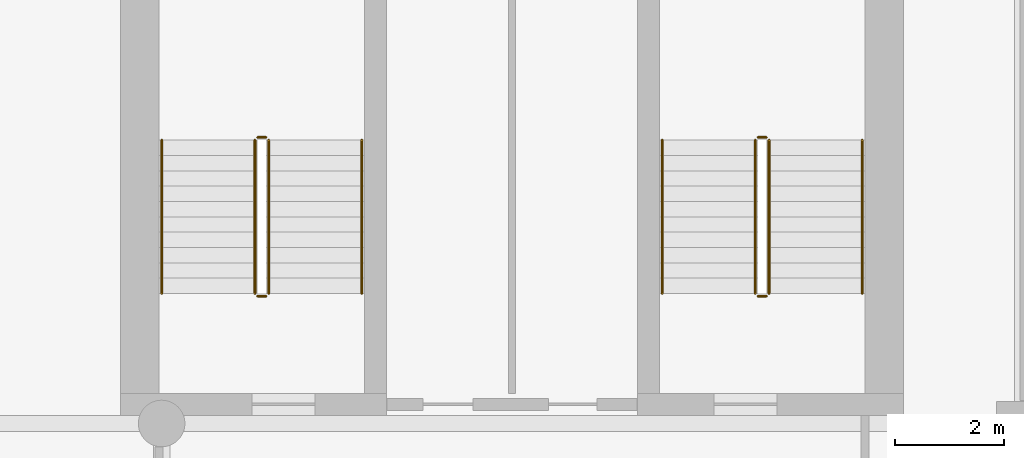
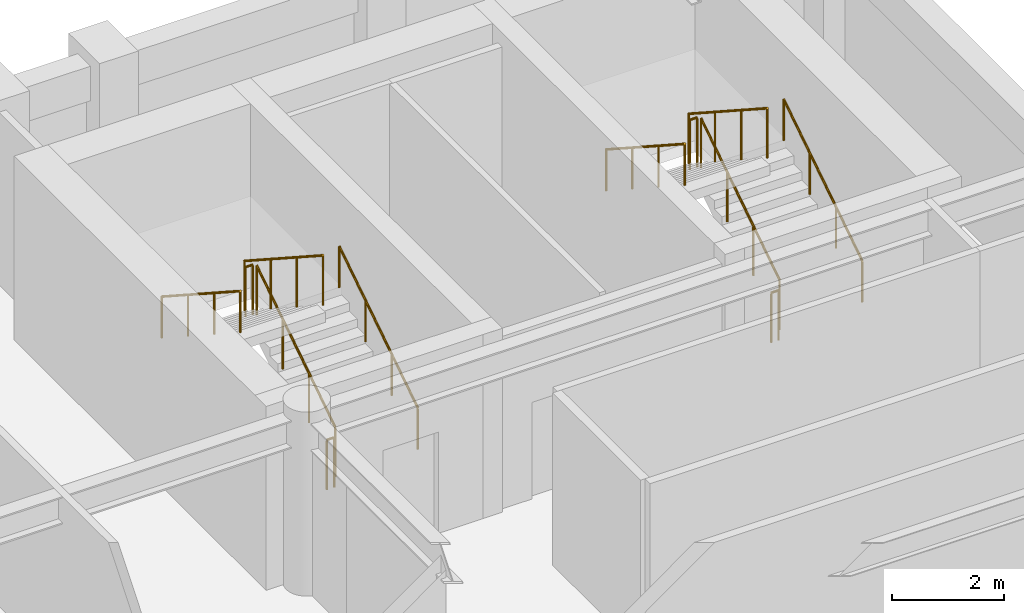
# One storey, part 11 of 11: 12 railings.
"""IFC4 building model written with IfcOpenShell, lengths in metres."""

from ifc_helpers import new_model, si_unit, direction, frame, origin, origin_2d, place, context, subcontext, project, spatial, circle, extrude, material, type_object, element, save


model = new_model("IFC4")

# Units and contexts
model_context = context("Model", 3, precision=1e-05, world=origin(), true_north=direction((0.0, 1.0)))
body_context = subcontext(model_context, "Body", "Model", "MODEL_VIEW")
ifc_project = project(units=[si_unit("LENGTHUNIT", "METRE"), si_unit("AREAUNIT", "SQUARE_METRE"), si_unit("VOLUMEUNIT", "CUBIC_METRE"), si_unit("PLANEANGLEUNIT", "RADIAN"), si_unit("MASSUNIT", "GRAM", prefix="KILO")], contexts=[model_context])

# Site, building, storey
site_placement = place(None, origin())
site = spatial("IfcSite", under=ifc_project, at=site_placement, CompositionType="ELEMENT")
building_placement = place(site_placement, origin())
building = spatial("IfcBuilding", under=site, at=building_placement, Name="Sulina Concourse Tower", CompositionType="ELEMENT")
storey_placement = place(building_placement, frame((0.0, 0.0, 218.60009765625)))
storey = spatial("IfcBuildingStorey", under=building, at=storey_placement, Name="L53", CompositionType="ELEMENT", Elevation=218.60009765625)

# Railings
ifc_material_1 = material(Name="Galvanised steel railing", Category="steel")
railing_type_1 = type_object("IfcRailingType", Name="Core Stair Steel Guardrail 1150mm", PredefinedType="GUARDRAIL", material=ifc_material_1)
railing_1_placement = place(storey_placement, frame((43.554931640625, 36.375, 0.181640625)))
element("IfcRailing", 1, at=railing_1_placement, inside=storey, type_object=railing_type_1, Name="L53 ST-3 stair guard 1", PredefinedType="GUARDRAIL", context=body_context, shape_type="SweptSolid", body=[
    extrude(circle(Radius=0.02392578125, at=origin_2d()), frame((0.0, 0.0, 1.076171875), z_axis=(0.0, 0.838672427954, 0.544636170843), x_axis=(-1.0, 0.0, 0.0)), (0.0, 0.0, 1.0), 3.338623046875),
    extrude(circle(Radius=0.02099609375, at=origin_2d()), origin(), (0.0, 0.0, 1.0), 1.052001953125),
    extrude(circle(Radius=0.02099609375, at=origin_2d()), frame((0.0, 0.933349609375, 0.606201171875)), (0.0, 0.0, 1.0), 1.052001953125),
    extrude(circle(Radius=0.02099609375, at=origin_2d()), frame((0.0, 1.86669921875, 1.212158203125)), (0.0, 0.0, 1.0), 1.052001953125),
    extrude(circle(Radius=0.02099609375, at=origin_2d()), frame((0.0, 2.800048828125, 1.818359375)), (0.0, 0.0, 1.0), 1.052001953125),
])
railing_2_placement = place(storey_placement, frame((43.5048828125, 39.22509765625, 2.0)))
element("IfcRailing", 2, at=railing_2_placement, inside=storey, type_object=railing_type_1, Name="L53 ST-3 stair guard 2", PredefinedType="GUARDRAIL", context=body_context, shape_type="SweptSolid", body=[
    extrude(circle(Radius=0.02392578125, at=origin_2d()), frame((0.0, 0.0, 1.076171875), z_axis=(-1.0, 0.0, 0.0), x_axis=(0.0, -1.0, 0.0)), (0.0, 0.0, 1.0), 0.14990234375),
    extrude(circle(Radius=0.02099609375, at=origin_2d()), origin(), (0.0, 0.0, 1.0), 1.052001953125),
    extrude(circle(Radius=0.02099609375, at=origin_2d()), frame((-0.14990234375, 0.0, 0.0)), (0.0, 0.0, 1.0), 1.052001953125),
])
railing_3_placement = place(storey_placement, frame((43.304931640625, 39.175048828125, 2.181640625)))
element("IfcRailing", 3, at=railing_3_placement, inside=storey, type_object=railing_type_1, Name="L53 ST-3 stair guard 3", PredefinedType="GUARDRAIL", context=body_context, shape_type="SweptSolid", body=[
    extrude(circle(Radius=0.02392578125, at=origin_2d()), frame((0.0, 0.0, 1.076171875), z_axis=(0.0, -0.838672427954, 0.544636170843), x_axis=(1.0, 0.0, 0.0)), (0.0, 0.0, 1.0), 3.338623046875),
    extrude(circle(Radius=0.02099609375, at=origin_2d()), origin(), (0.0, 0.0, 1.0), 1.052001953125),
    extrude(circle(Radius=0.02099609375, at=origin_2d()), frame((0.0, -0.933349609375, 0.606201171875)), (0.0, 0.0, 1.0), 1.052001953125),
    extrude(circle(Radius=0.02099609375, at=origin_2d()), frame((0.0, -1.86669921875, 1.212158203125)), (0.0, 0.0, 1.0), 1.052001953125),
    extrude(circle(Radius=0.02099609375, at=origin_2d()), frame((0.0, -2.800048828125, 1.818359375)), (0.0, 0.0, 1.0), 1.052001953125),
])
railing_4_placement = place(storey_placement, frame((43.5048828125, 36.324951171875, 0.0)))
element("IfcRailing", 4, at=railing_4_placement, inside=storey, type_object=railing_type_1, Name="L53 ST-3 stair guard 4", PredefinedType="GUARDRAIL", context=body_context, shape_type="SweptSolid", body=[
    extrude(circle(Radius=0.02392578125, at=origin_2d()), frame((0.0, 0.0, 1.076171875), z_axis=(-1.0, 0.0, 0.0), x_axis=(0.0, -1.0, 0.0)), (0.0, 0.0, 1.0), 0.14990234375),
    extrude(circle(Radius=0.02099609375, at=origin_2d()), origin(), (0.0, 0.0, 1.0), 1.052001953125),
    extrude(circle(Radius=0.02099609375, at=origin_2d()), frame((-0.14990234375, 0.0, 0.0)), (0.0, 0.0, 1.0), 1.052001953125),
])
railing_5_placement = place(storey_placement, frame((52.695068359375, 36.375, 0.181640625)))
element("IfcRailing", 5, at=railing_5_placement, inside=storey, type_object=railing_type_1, Name="L53 ST-4 stair guard 1", PredefinedType="GUARDRAIL", context=body_context, shape_type="SweptSolid", body=[
    extrude(circle(Radius=0.02392578125, at=origin_2d()), frame((0.0, 0.0, 1.076171875), z_axis=(0.0, 0.838672427954, 0.544636170843), x_axis=(-1.0, 0.0, 0.0)), (0.0, 0.0, 1.0), 3.338623046875),
    extrude(circle(Radius=0.02099609375, at=origin_2d()), origin(), (0.0, 0.0, 1.0), 1.052001953125),
    extrude(circle(Radius=0.02099609375, at=origin_2d()), frame((0.0, 0.933349609375, 0.606201171875)), (0.0, 0.0, 1.0), 1.052001953125),
    extrude(circle(Radius=0.02099609375, at=origin_2d()), frame((0.0, 1.86669921875, 1.212158203125)), (0.0, 0.0, 1.0), 1.052001953125),
    extrude(circle(Radius=0.02099609375, at=origin_2d()), frame((0.0, 2.800048828125, 1.818359375)), (0.0, 0.0, 1.0), 1.052001953125),
])
railing_6_placement = place(storey_placement, frame((52.64501953125, 39.22509765625, 2.0)))
element("IfcRailing", 6, at=railing_6_placement, inside=storey, type_object=railing_type_1, Name="L53 ST-4 stair guard 2", PredefinedType="GUARDRAIL", context=body_context, shape_type="SweptSolid", body=[
    extrude(circle(Radius=0.02392578125, at=origin_2d()), frame((0.0, 0.0, 1.076171875), z_axis=(-1.0, 0.0, 0.0), x_axis=(0.0, -1.0, 0.0)), (0.0, 0.0, 1.0), 0.14990234375),
    extrude(circle(Radius=0.02099609375, at=origin_2d()), origin(), (0.0, 0.0, 1.0), 1.052001953125),
    extrude(circle(Radius=0.02099609375, at=origin_2d()), frame((-0.14990234375, 0.0, 0.0)), (0.0, 0.0, 1.0), 1.052001953125),
])
railing_7_placement = place(storey_placement, frame((52.445068359375, 39.175048828125, 2.181640625)))
element("IfcRailing", 7, at=railing_7_placement, inside=storey, type_object=railing_type_1, Name="L53 ST-4 stair guard 3", PredefinedType="GUARDRAIL", context=body_context, shape_type="SweptSolid", body=[
    extrude(circle(Radius=0.02392578125, at=origin_2d()), frame((0.0, 0.0, 1.076171875), z_axis=(0.0, -0.838672427954, 0.544636170843), x_axis=(1.0, 0.0, 0.0)), (0.0, 0.0, 1.0), 3.338623046875),
    extrude(circle(Radius=0.02099609375, at=origin_2d()), origin(), (0.0, 0.0, 1.0), 1.052001953125),
    extrude(circle(Radius=0.02099609375, at=origin_2d()), frame((0.0, -0.933349609375, 0.606201171875)), (0.0, 0.0, 1.0), 1.052001953125),
    extrude(circle(Radius=0.02099609375, at=origin_2d()), frame((0.0, -1.86669921875, 1.212158203125)), (0.0, 0.0, 1.0), 1.052001953125),
    extrude(circle(Radius=0.02099609375, at=origin_2d()), frame((0.0, -2.800048828125, 1.818359375)), (0.0, 0.0, 1.0), 1.052001953125),
])
railing_8_placement = place(storey_placement, frame((52.64501953125, 36.324951171875, 0.0)))
element("IfcRailing", 8, at=railing_8_placement, inside=storey, type_object=railing_type_1, Name="L53 ST-4 stair guard 4", PredefinedType="GUARDRAIL", context=body_context, shape_type="SweptSolid", body=[
    extrude(circle(Radius=0.02392578125, at=origin_2d()), frame((0.0, 0.0, 1.076171875), z_axis=(-1.0, 0.0, 0.0), x_axis=(0.0, -1.0, 0.0)), (0.0, 0.0, 1.0), 0.14990234375),
    extrude(circle(Radius=0.02099609375, at=origin_2d()), origin(), (0.0, 0.0, 1.0), 1.052001953125),
    extrude(circle(Radius=0.02099609375, at=origin_2d()), frame((-0.14990234375, 0.0, 0.0)), (0.0, 0.0, 1.0), 1.052001953125),
])
ifc_material_2 = material(Name="Galvanised steel railing", Category="steel")
railing_type_2 = type_object("IfcRailingType", Name="Stair Wall Steel Handrail 920mm", PredefinedType="HANDRAIL", material=ifc_material_2)
railing_9_placement = place(storey_placement, frame((45.2548828125, 36.375, 0.181640625)))
element("IfcRailing", 9, at=railing_9_placement, inside=storey, type_object=railing_type_2, Name="L53 ST-3 stair handrail 1", PredefinedType="HANDRAIL", context=body_context, shape_type="SweptSolid", body=[
    extrude(circle(Radius=0.02392578125, at=origin_2d()), frame((0.0, 0.0, 0.89599609375), z_axis=(0.0, 0.838672427954, 0.544636170843), x_axis=(-1.0, 0.0, 0.0)), (0.0, 0.0, 1.0), 3.338623046875),
    extrude(circle(Radius=0.02099609375, at=origin_2d()), origin(), (0.0, 0.0, 1.0), 0.871826171875),
    extrude(circle(Radius=0.02099609375, at=origin_2d()), frame((0.0, 0.933349609375, 0.606201171875)), (0.0, 0.0, 1.0), 0.871826171875),
    extrude(circle(Radius=0.02099609375, at=origin_2d()), frame((0.0, 1.86669921875, 1.212158203125)), (0.0, 0.0, 1.0), 0.871826171875),
    extrude(circle(Radius=0.02099609375, at=origin_2d()), frame((0.0, 2.800048828125, 1.818359375)), (0.0, 0.0, 1.0), 0.871826171875),
])
railing_10_placement = place(storey_placement, frame((41.60498046875, 39.175048828125, 2.181640625)))
element("IfcRailing", 10, at=railing_10_placement, inside=storey, type_object=railing_type_2, Name="L53 ST-3 stair handrail 2", PredefinedType="HANDRAIL", context=body_context, shape_type="SweptSolid", body=[
    extrude(circle(Radius=0.02392578125, at=origin_2d()), frame((0.0, 0.0, 0.89599609375), z_axis=(0.0, -0.838672427954, 0.544636170843), x_axis=(1.0, 0.0, 0.0)), (0.0, 0.0, 1.0), 3.338623046875),
    extrude(circle(Radius=0.02099609375, at=origin_2d()), origin(), (0.0, 0.0, 1.0), 0.871826171875),
    extrude(circle(Radius=0.02099609375, at=origin_2d()), frame((0.0, -0.933349609375, 0.606201171875)), (0.0, 0.0, 1.0), 0.871826171875),
    extrude(circle(Radius=0.02099609375, at=origin_2d()), frame((0.0, -1.86669921875, 1.212158203125)), (0.0, 0.0, 1.0), 0.871826171875),
    extrude(circle(Radius=0.02099609375, at=origin_2d()), frame((0.0, -2.800048828125, 1.818359375)), (0.0, 0.0, 1.0), 0.871826171875),
])
railing_11_placement = place(storey_placement, frame((54.39501953125, 36.375, 0.181640625)))
element("IfcRailing", 11, at=railing_11_placement, inside=storey, type_object=railing_type_2, Name="L53 ST-4 stair handrail 1", PredefinedType="HANDRAIL", context=body_context, shape_type="SweptSolid", body=[
    extrude(circle(Radius=0.02392578125, at=origin_2d()), frame((0.0, 0.0, 0.89599609375), z_axis=(0.0, 0.838672427954, 0.544636170843), x_axis=(-1.0, 0.0, 0.0)), (0.0, 0.0, 1.0), 3.338623046875),
    extrude(circle(Radius=0.02099609375, at=origin_2d()), origin(), (0.0, 0.0, 1.0), 0.871826171875),
    extrude(circle(Radius=0.02099609375, at=origin_2d()), frame((0.0, 0.933349609375, 0.606201171875)), (0.0, 0.0, 1.0), 0.871826171875),
    extrude(circle(Radius=0.02099609375, at=origin_2d()), frame((0.0, 1.86669921875, 1.212158203125)), (0.0, 0.0, 1.0), 0.871826171875),
    extrude(circle(Radius=0.02099609375, at=origin_2d()), frame((0.0, 2.800048828125, 1.818359375)), (0.0, 0.0, 1.0), 0.871826171875),
])
railing_12_placement = place(storey_placement, frame((50.7451171875, 39.175048828125, 2.181640625)))
element("IfcRailing", 12, at=railing_12_placement, inside=storey, type_object=railing_type_2, Name="L53 ST-4 stair handrail 2", PredefinedType="HANDRAIL", context=body_context, shape_type="SweptSolid", body=[
    extrude(circle(Radius=0.02392578125, at=origin_2d()), frame((0.0, 0.0, 0.89599609375), z_axis=(0.0, -0.838672427954, 0.544636170843), x_axis=(1.0, 0.0, 0.0)), (0.0, 0.0, 1.0), 3.338623046875),
    extrude(circle(Radius=0.02099609375, at=origin_2d()), origin(), (0.0, 0.0, 1.0), 0.871826171875),
    extrude(circle(Radius=0.02099609375, at=origin_2d()), frame((0.0, -0.933349609375, 0.606201171875)), (0.0, 0.0, 1.0), 0.871826171875),
    extrude(circle(Radius=0.02099609375, at=origin_2d()), frame((0.0, -1.86669921875, 1.212158203125)), (0.0, 0.0, 1.0), 0.871826171875),
    extrude(circle(Radius=0.02099609375, at=origin_2d()), frame((0.0, -2.800048828125, 1.818359375)), (0.0, 0.0, 1.0), 0.871826171875),
])

save(model, "model.ifc")
